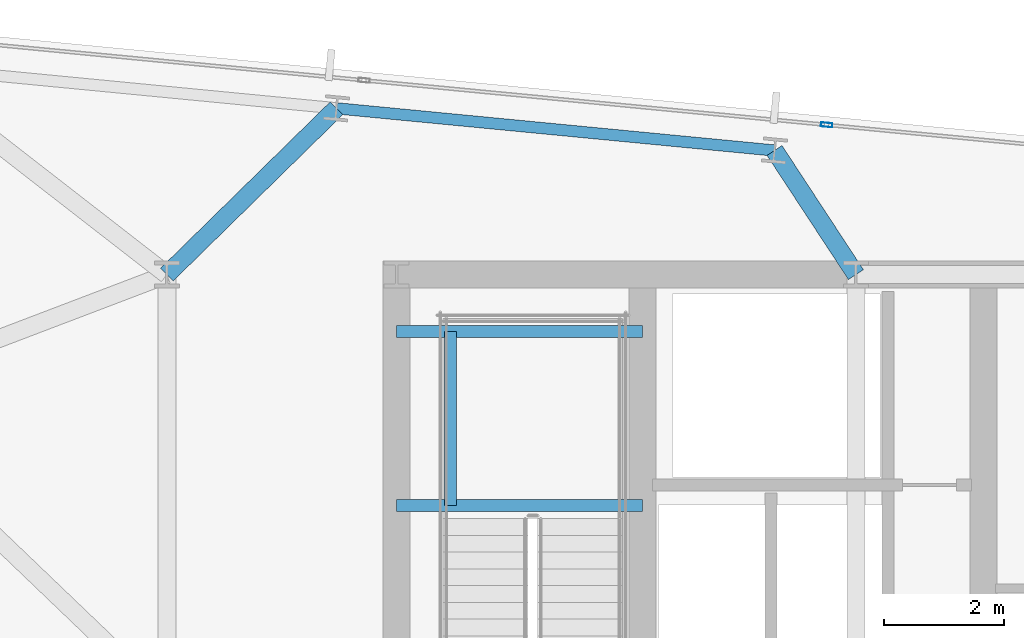
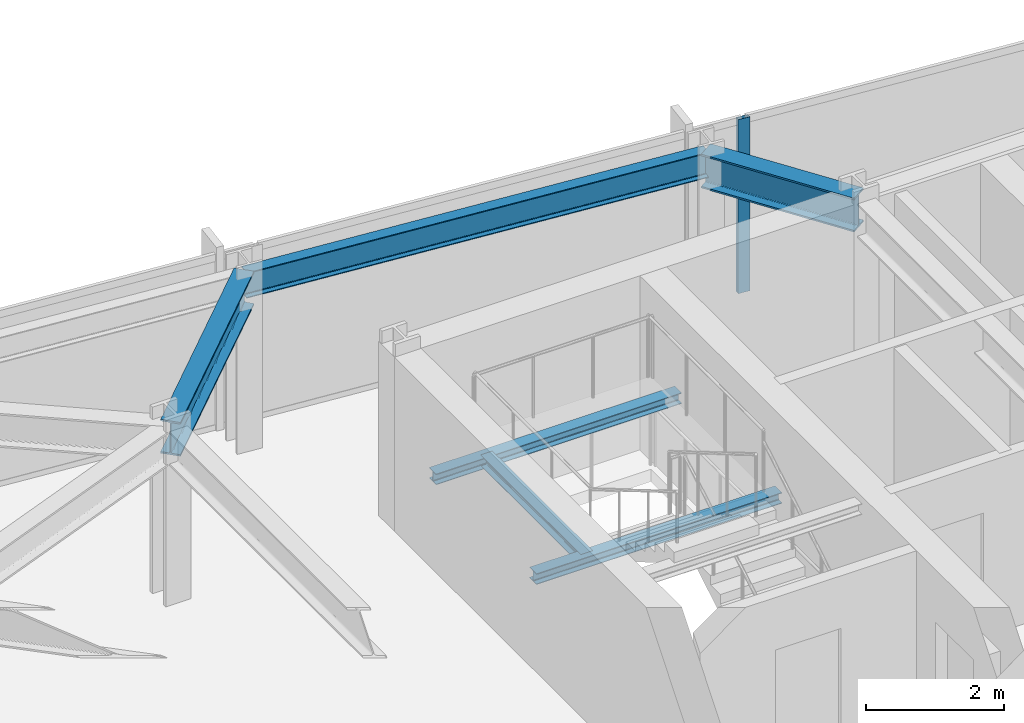
# One storey, part 24 of 37: 6 beams, 1 member, 1 element without a shape of its own.
"""IFC4 building model written with IfcOpenShell, lengths in metres."""

from ifc_helpers import new_model, si_unit, direction, frame, origin, origin_2d, place, context, subcontext, project, spatial, hollow_rectangle, i_section, extrude, material, material_profile, profile_set, type_object, element, aggregate, save


model = new_model("IFC4")

# Units and contexts
model_context = context("Model", 3, precision=1e-05, world=origin(), true_north=direction((0.0, 1.0)))
body_context = subcontext(model_context, "Body", "Model", "MODEL_VIEW")
ifc_project = project(units=[si_unit("LENGTHUNIT", "METRE"), si_unit("AREAUNIT", "SQUARE_METRE"), si_unit("VOLUMEUNIT", "CUBIC_METRE"), si_unit("PLANEANGLEUNIT", "RADIAN"), si_unit("MASSUNIT", "GRAM", prefix="KILO")], contexts=[model_context])

# Site, building, storey
site_placement = place(None, origin())
site = spatial("IfcSite", under=ifc_project, at=site_placement, CompositionType="ELEMENT")
building_placement = place(site_placement, origin())
building = spatial("IfcBuilding", under=site, at=building_placement, Name="Yelkora Congress Tower", CompositionType="ELEMENT")
storey_placement = place(building_placement, frame((0.0, 0.0, 175.39990234375)))
storey = spatial("IfcBuildingStorey", under=building, at=storey_placement, Name="L48", CompositionType="ELEMENT", Elevation=175.39990234375)

# Beams
ifc_material_1 = material(Name="Steel S355J2", Category="steel")
ifc_material_profile_1 = material_profile(ifc_material_1, i_section(OverallWidth=0.300048828125, OverallDepth=0.60009765625, WebThickness=0.015380859375, FlangeThickness=0.030029296875, FilletRadius=0.027099609375, at=origin_2d()), Name="HEB 600")
ifc_profile_set_1 = profile_set([ifc_material_profile_1], Name="Steel S355J2")
beam_type_1 = type_object("IfcBeamType", Name="BM-GIRD-HEB600", PredefinedType="BEAM", material=ifc_profile_set_1)
beam_1_placement = place(storey_placement, frame((22.035400390625, 48.980224609375, 2.780029296875), z_axis=(-0.714019806588, -0.700125500036, 0.0), x_axis=(0.700125500036, -0.714019806588, 0.0)))
element("IfcBeam", 1, at=beam_1_placement, inside=storey, type_object=beam_type_1, Name="L48 Primary Frame Girder N03", PredefinedType="BEAM", context=body_context, shape_type="SweptSolid", body=[
    extrude(i_section(OverallWidth=0.300048828125, OverallDepth=0.60009765625, WebThickness=0.015380859375, FlangeThickness=0.030029296875, FilletRadius=0.027099609375, at=origin_2d()), origin(), (0.0, 0.0, 1.0), 3.97119140625),
])
beam_2_placement = place(storey_placement, frame((29.358642578125, 48.275146484375, 2.780029296875), z_axis=(0.548510321976, -0.8361437835, 0.0), x_axis=(0.8361437835, 0.548510321976, 0.0)))
element("IfcBeam", 2, at=beam_2_placement, inside=storey, type_object=beam_type_1, Name="L48 Primary Frame Girder N04", PredefinedType="BEAM", context=body_context, shape_type="SweptSolid", body=[
    extrude(i_section(OverallWidth=0.300048828125, OverallDepth=0.60009765625, WebThickness=0.015380859375, FlangeThickness=0.030029296875, FilletRadius=0.027099609375, at=origin_2d()), origin(), (0.0, 0.0, 1.0), 2.48193359375),
])
ifc_material_profile_2 = material_profile(ifc_material_1, i_section(OverallWidth=0.199951171875, OverallDepth=0.18994140625, WebThickness=0.006591796875, FlangeThickness=0.010009765625, FilletRadius=0.01806640625, at=origin_2d()), Name="HEA 200")
ifc_profile_set_2 = profile_set([ifc_material_profile_2], Name="Steel S355J2")
beam_type_2 = type_object("IfcBeamType", Name="BM-LAND-HEA200", PredefinedType="BEAM", material=ifc_profile_set_2)
for number, where, z_axis, x_axis, name in (
    (3, (23.0400390625, 42.340087890625, 1.334716796875), (1.0, 0.0, 0.0), (0.0, 1.0, 0.0), "ST-01 L48 Landing Header Beam 1S"),
    (4, (23.0400390625, 45.25, 1.334716796875), (1.0, 0.0, 0.0), (0.0, 1.0, 0.0), "ST-01 L48 Landing Header Beam 1N"),
):
    element("IfcBeam", number, at=place(storey_placement, frame(where, z_axis=z_axis, x_axis=x_axis)), inside=storey, type_object=beam_type_2, Name=name, PredefinedType="BEAM", context=body_context, shape_type="SweptSolid", body=[
        extrude(i_section(OverallWidth=0.199951171875, OverallDepth=0.18994140625, WebThickness=0.006591796875, FlangeThickness=0.010009765625, FilletRadius=0.01806640625, at=origin_2d()), origin(), (0.0, 0.0, 1.0), 4.10986328125),
    ])
beam_3_placement = place(storey_placement, frame((23.93994140625, 42.340087890625, 1.334716796875), z_axis=(0.0, 1.0, 0.0), x_axis=(-1.0, 0.0, 0.0)))
element("IfcBeam", 5, at=beam_3_placement, inside=storey, type_object=beam_type_2, Name="ST-01 L48 Landing Trimmer Beam 1M", PredefinedType="BEAM", context=body_context, shape_type="SweptSolid", body=[
    extrude(i_section(OverallWidth=0.199951171875, OverallDepth=0.18994140625, WebThickness=0.006591796875, FlangeThickness=0.010009765625, FilletRadius=0.01806640625, at=origin_2d()), origin(), (0.0, 0.0, 1.0), 2.909912109375),
])
ifc_material_profile_3 = material_profile(ifc_material_1, i_section(OverallWidth=0.18994140625, OverallDepth=0.449951171875, WebThickness=0.009521484375, FlangeThickness=0.0146484375, FilletRadius=0.02099609375, at=origin_2d()), Name="IPE 450")
ifc_profile_set_3 = profile_set([ifc_material_profile_3], Name="Steel S355J2")
beam_type_3 = type_object("IfcBeamType", Name="BM-SPAN-IPE450", PredefinedType="SPANDREL", material=ifc_profile_set_3)
beam_4_placement = place(storey_placement, frame((29.358642578125, 48.275146484375, 2.85498046875), z_axis=(-0.995397104697, 0.095836339457, 0.0), x_axis=(-0.095836339457, -0.995397104697, 0.0)))
element("IfcBeam", 6, at=beam_4_placement, inside=storey, type_object=beam_type_3, Name="L48 Perimeter Beam 13", PredefinedType="SPANDREL", context=body_context, shape_type="SweptSolid", body=[
    extrude(i_section(OverallWidth=0.18994140625, OverallDepth=0.449951171875, WebThickness=0.009521484375, FlangeThickness=0.0146484375, FilletRadius=0.02099609375, at=origin_2d()), origin(), (0.0, 0.0, 1.0), 7.357177734375),
])

# Curtain wall, member
ifc_material_2 = material(Name="Anodised aluminium and insulated glass", Category="aluminium")
curtain_wall_type = type_object("IfcCurtainWallType", Name="CW-SYS-B3", PredefinedType="NOTDEFINED", material=ifc_material_2)
curtain_wall_placement = place(storey_placement, origin())
curtain_wall = element("IfcCurtainWall", 7, at=curtain_wall_placement, inside=storey, type_object=curtain_wall_type, Name="L48 Unitised Curtain Wall 10 (1)", PredefinedType="NOTDEFINED")
ifc_material_3 = material(Name="Anodised aluminium 6063-T6", Category="aluminium")
ifc_material_profile_4 = material_profile(ifc_material_3, hollow_rectangle(XDim=0.070068359375, YDim=0.18994140625, WallThickness=0.00390625, at=origin_2d()), Name="ALU 70x190x4")
ifc_profile_set_4 = profile_set([ifc_material_profile_4], Name="Anodised aluminium 6063-T6")
member_type = type_object("IfcMemberType", Name="MEM-ML-B3", PredefinedType="MULLION", material=ifc_profile_set_4)
member_placement = place(storey_placement, frame((30.230224609375, 48.70361328125, 0.0), z_axis=(0.0, 0.0, 1.0), x_axis=(0.095844761168, 0.995396293823, 0.0)))
member = element("IfcMember", 8, at=member_placement, type_object=member_type, Name="CW-B3 mullion 4", PredefinedType="MULLION", context=body_context, shape_type="SweptSolid", body=[
    extrude(hollow_rectangle(XDim=0.070068359375, YDim=0.18994140625, WallThickness=0.00390625, at=origin_2d()), origin(), (0.0, 0.0, 1.0), 3.080078125),
])
aggregate(curtain_wall, [member])

save(model, "model.ifc")
